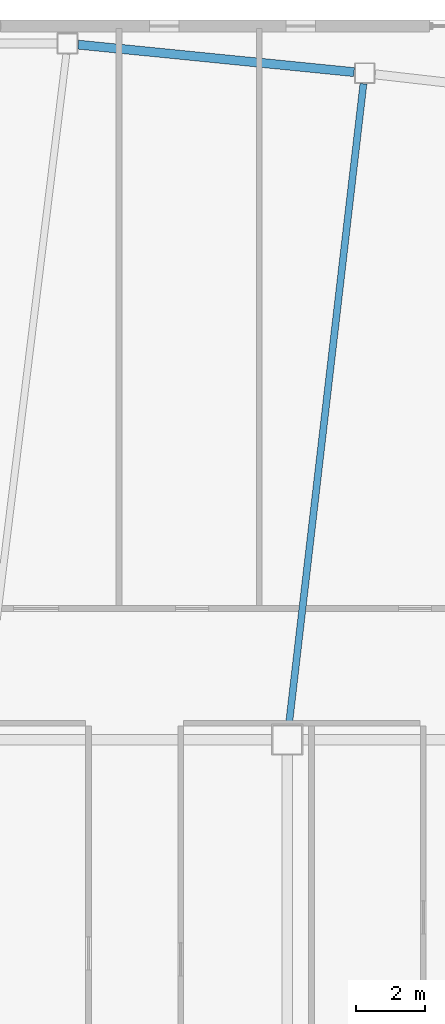
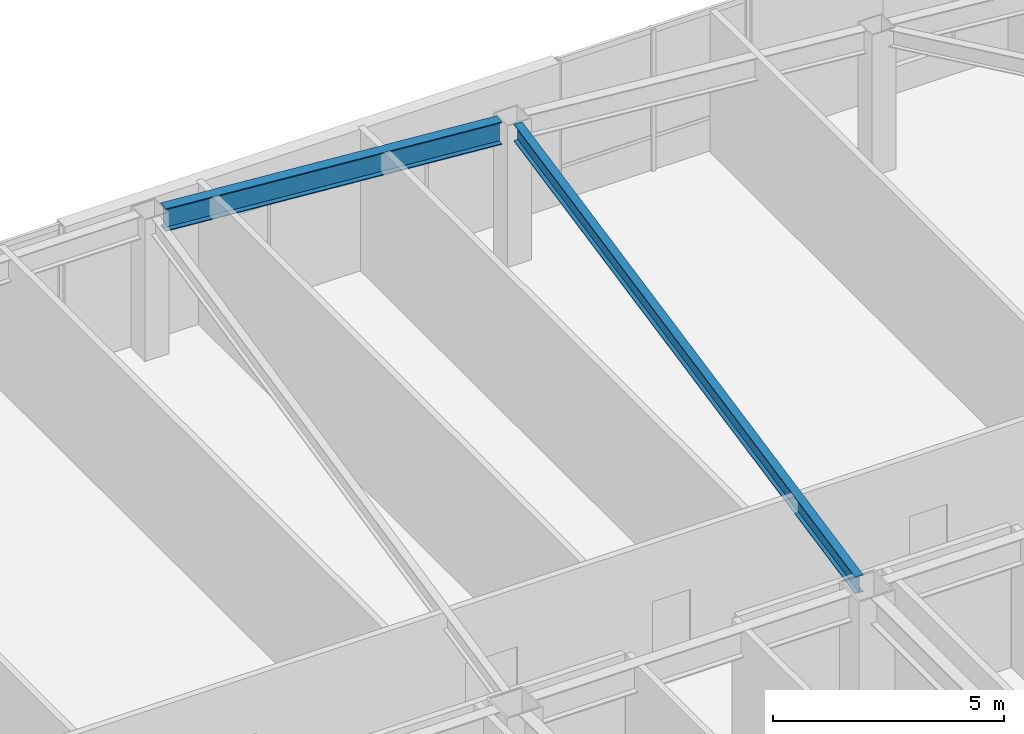
# One storey, part 7 of 18: 2 beams.
"""IFC4 building model written with IfcOpenShell, lengths in metres."""

import ifcopenshell
import ifcopenshell.guid

model = None  # the IFC model being written
_history = None  # IfcOwnerHistory: only IFC2X3 demands one
_inside = {}  # id of a spatial element -> (the spatial element, [elements in it])
_under = {}  # id of a project, library or spatial element -> (it, [spatial elements below it])
_declared = {}  # id of a project -> (the project, [libraries it declares])
_typed = {}  # id of a type object -> (the type object, [elements of that type])
_made_of = {}  # id of a material, layer set ... -> (it, [elements and type objects made of it])


def new_model(schema):
    """Start an empty IFC model of exactly this schema.

    Asked for "IFC4X3", IfcOpenShell would pick the latest addendum, in which some entities
    have other attributes; the version numbers below select the first issue.
    IFC2X3 requires an IfcOwnerHistory on every rooted entity: one is made here for all.
    """
    global model, _history
    if schema == "IFC4X3":
        model = ifcopenshell.file(schema_version=(4, 3, 0, 0))
    else:
        model = ifcopenshell.file(schema=schema)
    _inside.clear()
    _under.clear()
    _declared.clear()
    _typed.clear()
    _made_of.clear()
    _history = None
    if model.schema == "IFC2X3":
        org = make("IfcOrganization", Name="unknown")
        user = make(
            "IfcPersonAndOrganization",
            ThePerson=make("IfcPerson", FamilyName="unknown"),
            TheOrganization=org,
        )
        app = make(
            "IfcApplication",
            ApplicationDeveloper=org,
            Version="unknown",
            ApplicationFullName="unknown",
            ApplicationIdentifier="unknown",
        )
        _history = make(
            "IfcOwnerHistory",
            OwningUser=user,
            OwningApplication=app,
            ChangeAction="ADDED",
            CreationDate=0,
        )
    return model


def make(cls, **values):
    """One entity of the class cls with the attributes given. An attribute that is None is left unset."""
    return model.create_entity(
        cls, **{name: value for name, value in values.items() if value is not None}
    )


def rooted(cls, **values):
    """An entity with a GlobalId (a new one), such as an element, a storey or a relation."""
    return make(cls, GlobalId=ifcopenshell.guid.new(), OwnerHistory=_history, **values)


def si_unit(unit_type, name, prefix=None):
    """IfcSIUnit, for example si_unit("LENGTHUNIT", "METRE", prefix="MILLI")."""
    return make("IfcSIUnit", UnitType=unit_type, Prefix=prefix, Name=name)


def assignment(units):
    """IfcUnitAssignment: the units of a project."""
    return None if units is None else make("IfcUnitAssignment", Units=units)


def point(xyz):
    """IfcCartesianPoint."""
    return None if xyz is None else make("IfcCartesianPoint", Coordinates=xyz)


def direction(xyz):
    """IfcDirection."""
    return None if xyz is None else make("IfcDirection", DirectionRatios=xyz)


def frame(location, z_axis=None, x_axis=None):
    """IfcAxis2Placement3D, a coordinate frame: its origin and axes. An axis left out is left unset."""
    return make(
        "IfcAxis2Placement3D",
        Location=point(location),
        Axis=direction(z_axis),
        RefDirection=direction(x_axis),
    )


def frame_2d(location, x_axis=None):
    """IfcAxis2Placement2D, a coordinate frame in the plane: its origin and x axis."""
    return make(
        "IfcAxis2Placement2D", Location=point(location), RefDirection=direction(x_axis)
    )


def origin():
    """The frame at (0, 0, 0) with its axes left unset."""
    return frame((0.0, 0.0, 0.0))


def origin_2d():
    """The frame at (0, 0) in the plane with its x axis left unset."""
    return frame_2d((0.0, 0.0))


def place(relative_to, where):
    """IfcLocalPlacement: puts the frame where relative to a parent placement (None: the world)."""
    return make(
        "IfcLocalPlacement", PlacementRelTo=relative_to, RelativePlacement=where
    )


def context(
    kind, dimensions, precision=None, world=None, true_north=None, identifier=None
):
    """IfcGeometricRepresentationContext, for example the 3D "Model" context."""
    return make(
        "IfcGeometricRepresentationContext",
        ContextIdentifier=identifier,
        ContextType=kind,
        CoordinateSpaceDimension=dimensions,
        Precision=precision,
        WorldCoordinateSystem=world,
        TrueNorth=true_north,
    )


def subcontext(parent, identifier, kind, view, scale=None):
    """IfcGeometricRepresentationSubContext, for example "Body" below "Model"."""
    return make(
        "IfcGeometricRepresentationSubContext",
        ContextIdentifier=identifier,
        ContextType=kind,
        ParentContext=parent,
        TargetScale=scale,
        TargetView=view,
    )


def project(units=None, contexts=None):
    """IfcProject with its units and contexts."""
    return rooted(
        "IfcProject",
        Name="project",
        RepresentationContexts=contexts,
        UnitsInContext=assignment(units),
    )


def spatial(cls, under=None, at=None, **own):
    """A site, building, storey or space (cls), placed at a placement, below another one or the project."""
    s = rooted(cls, ObjectPlacement=at, **own)
    if under is not None:
        _under.setdefault(under.id(), (under, []))[1].append(s)
    return s


def profile(cls, at=None, kind="AREA", **sizes):
    """A parametric profile (cls). Its sizes go by their IFC names, for example OverallWidth=200.0."""
    return make(cls, ProfileType=kind, Position=at, **sizes)


def i_section(**sizes):
    """IfcIShapeProfileDef."""
    return profile("IfcIShapeProfileDef", **sizes)


def extrude(swept, where, along, depth):
    """IfcExtrudedAreaSolid: the profile swept, set in the frame where, extruded along a direction by depth."""
    return make(
        "IfcExtrudedAreaSolid",
        SweptArea=swept,
        Position=where,
        ExtrudedDirection=direction(along),
        Depth=depth,
    )


def shape(context_of_items, identifier, shape_type, items):
    """IfcShapeRepresentation: the items that make up one representation, for example the "Body"."""
    return make(
        "IfcShapeRepresentation",
        ContextOfItems=context_of_items,
        RepresentationIdentifier=identifier,
        RepresentationType=shape_type,
        Items=items,
    )


def material(Name=None, Category=None):
    """IfcMaterial."""
    return make("IfcMaterial", Name=Name, Category=Category)


def material_profile(
    of_material, cross_section, Name=None, Category=None, Priority=None
):
    """IfcMaterialProfile: a cross section and its material."""
    return make(
        "IfcMaterialProfile",
        Name=Name,
        Material=of_material,
        Profile=cross_section,
        Priority=Priority,
        Category=Category,
    )


def profile_set(profiles, Name=None, composite=None):
    """IfcMaterialProfileSet."""
    return make(
        "IfcMaterialProfileSet",
        Name=Name,
        MaterialProfiles=profiles,
        CompositeProfile=composite,
    )


def made_of(thing, what):
    """Note that an element or type object is made of a material, layer set ...; save() writes the relation."""
    if what is not None:
        _made_of.setdefault(what.id(), (what, []))[1].append(thing)
    return thing


def type_object(cls, material=None, **own):
    """A type object (cls), such as IfcWallType, which elements share."""
    return made_of(rooted(cls, **own), material)


def element(
    cls,
    number,
    at=None,
    inside=None,
    cuts=None,
    type_object=None,
    material=None,
    context=None,
    identifier="Body",
    shape_type=None,
    held_by="IfcProductDefinitionShape",
    body=None,
    shapes=None,
    **own,
):
    """One element of the class cls, such as IfcWall. Its Tag is "e" and its number.

    at: its placement. inside: the storey or other place that contains it. cuts: it is an
    opening in that element (IfcRelVoidsElement). A single representation is given by context,
    identifier, shape_type and body (its items); several are given by shapes. held_by: the class
    of the entity that holds the representations. save() writes the other relations.
    """
    e = rooted(cls, Tag="e%d" % number, ObjectPlacement=at, **own)
    if body is not None:
        shapes = [shape(context, identifier, shape_type, body)]
    if shapes is not None:
        e.Representation = make(held_by, Representations=shapes)
    if inside is not None:
        _inside.setdefault(inside.id(), (inside, []))[1].append(e)
    if cuts is not None:
        rooted(
            "IfcRelVoidsElement", RelatingBuildingElement=cuts, RelatedOpeningElement=e
        )
    if type_object is not None:
        _typed.setdefault(type_object.id(), (type_object, []))[1].append(e)
    return made_of(e, material)


def aggregate(whole, parts):
    """IfcRelAggregates: a whole, such as a stair, and the parts it consists of."""
    return rooted("IfcRelAggregates", RelatingObject=whole, RelatedObjects=parts)


def save(model, path):
    """Write the relations noted so far, then the file.

    IfcRelAggregates (storeys below a building ...), IfcRelContainedInSpatialStructure (elements
    in a storey), IfcRelDefinesByType, IfcRelAssociatesMaterial and IfcRelDeclares: one each for
    every whole, place, type object, material and project.
    """
    for whole, parts in _under.values():
        aggregate(whole, parts)
    for where, things in _inside.values():
        rooted(
            "IfcRelContainedInSpatialStructure",
            RelatedElements=things,
            RelatingStructure=where,
        )
    for kind, things in _typed.values():
        rooted("IfcRelDefinesByType", RelatedObjects=things, RelatingType=kind)
    for what, things in _made_of.values():
        rooted("IfcRelAssociatesMaterial", RelatedObjects=things, RelatingMaterial=what)
    for by, libraries in _declared.values():
        rooted("IfcRelDeclares", RelatingContext=by, RelatedDefinitions=libraries)
    model.write(path)


model = new_model("IFC4")

# Units and contexts
model_context = context("Model", 3, precision=1e-05, world=origin(), true_north=direction((0.0, 1.0)))
body_context = subcontext(model_context, "Body", "Model", "MODEL_VIEW")
ifc_project = project(units=[si_unit("LENGTHUNIT", "METRE"), si_unit("AREAUNIT", "SQUARE_METRE"), si_unit("VOLUMEUNIT", "CUBIC_METRE"), si_unit("PLANEANGLEUNIT", "RADIAN"), si_unit("MASSUNIT", "GRAM", prefix="KILO")], contexts=[model_context])

# Site, building, storey
site_placement = place(None, origin())
site = spatial("IfcSite", under=ifc_project, at=site_placement, CompositionType="ELEMENT")
building_placement = place(site_placement, origin())
building = spatial("IfcBuilding", under=site, at=building_placement, Name="Tavrogorsk Clinical Tower", CompositionType="ELEMENT")
storey_placement = place(building_placement, frame((0.0, 0.0, 196.199951171875)))
storey = spatial("IfcBuildingStorey", under=building, at=storey_placement, Name="L45", CompositionType="ELEMENT", Elevation=196.199951171875)

# Beams
ifc_material_1 = material(Name="Structural steel S355", Category="steel")
ifc_material_profile_1 = material_profile(ifc_material_1, i_section(OverallWidth=0.199951171875, OverallDepth=0.449951171875, WebThickness=0.011474609375, FlangeThickness=0.01806640625, at=origin_2d()), Name="B-450x200x11.5x18")
ifc_profile_set_1 = profile_set([ifc_material_profile_1], Name="Structural steel S355")
beam_type_1 = type_object("IfcBeamType", Name="FloorBeam_B450", PredefinedType="BEAM", material=ifc_profile_set_1)
beam_1_placement = place(storey_placement, frame((4.447265625, 6.75732421875, 3.51513671875), z_axis=(0.115490633481, 0.993308569166, 0.0), x_axis=(-0.993308569166, 0.115490633481, 0.0)))
element("IfcBeam", 1, at=beam_1_placement, inside=storey, type_object=beam_type_1, Name="L45 Radial Floor Beam N4", PredefinedType="BEAM", context=body_context, shape_type="SweptSolid", body=[
    extrude(i_section(OverallWidth=0.199951171875, OverallDepth=0.449951171875, WebThickness=0.011474609375, FlangeThickness=0.01806640625, at=origin_2d()), origin(), (0.0, 0.0, 1.0), 18.628173828125),
])
ifc_material_2 = material(Name="Structural steel S390", Category="steel")
ifc_material_profile_2 = material_profile(ifc_material_2, i_section(OverallWidth=0.260009765625, OverallDepth=0.60009765625, WebThickness=0.014892578125, FlangeThickness=0.02392578125, at=origin_2d()), Name="B-600x260x15x24")
ifc_profile_set_2 = profile_set([ifc_material_profile_2], Name="Structural steel S390")
beam_type_2 = type_object("IfcBeamType", Name="SpandrelBeam_B600", PredefinedType="SPANDREL", material=ifc_profile_set_2)
beam_2_placement = place(storey_placement, frame((6.32763671875, 25.59716796875, 3.43994140625), z_axis=(-0.995074624158, 0.099128665666, 0.0), x_axis=(-0.099128665666, -0.995074624158, 0.0)))
element("IfcBeam", 2, at=beam_2_placement, inside=storey, type_object=beam_type_2, Name="L45 Perimeter Spandrel N4-N5", PredefinedType="SPANDREL", context=body_context, shape_type="SweptSolid", body=[
    extrude(i_section(OverallWidth=0.260009765625, OverallDepth=0.60009765625, WebThickness=0.014892578125, FlangeThickness=0.02392578125, at=origin_2d()), origin(), (0.0, 0.0, 1.0), 7.991943359375),
])

save(model, "model.ifc")
